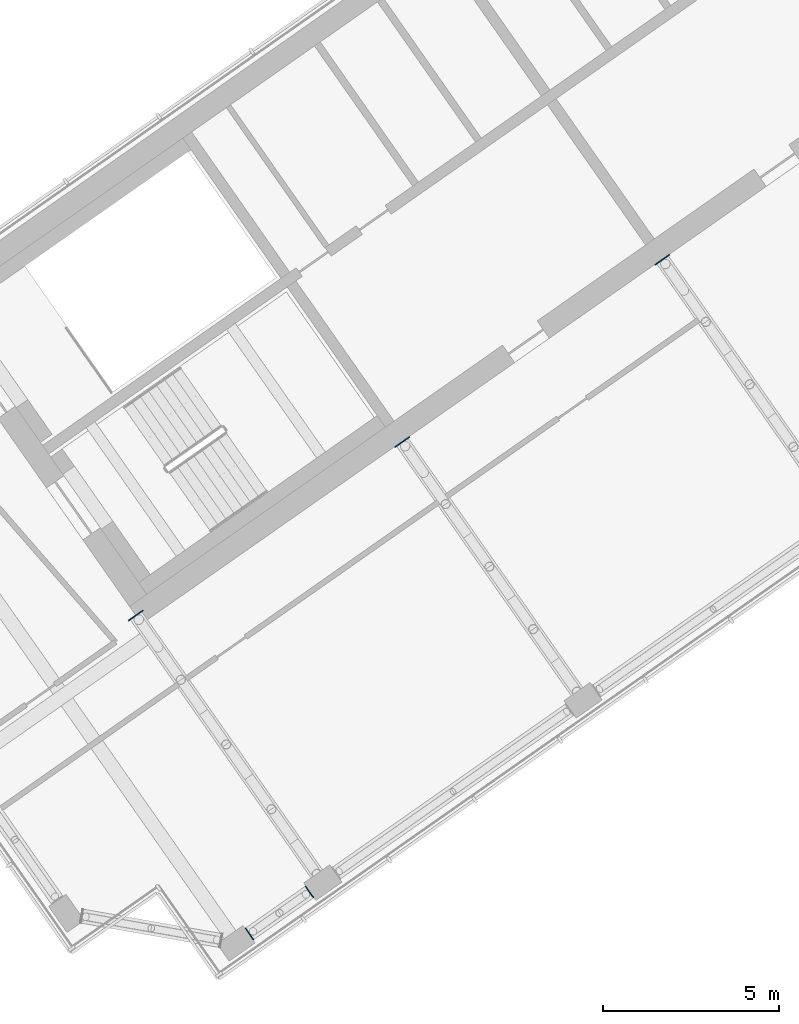
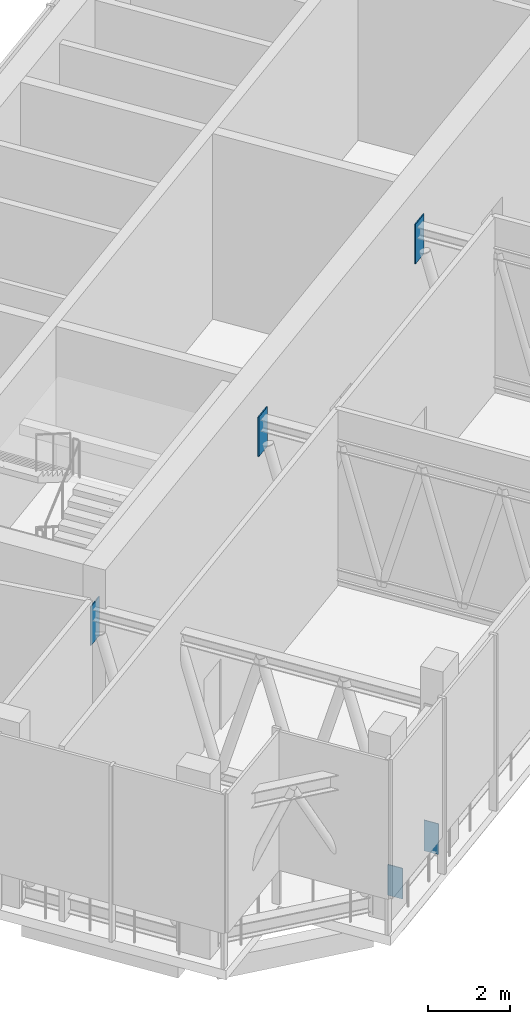
# One storey, part 7 of 16: 5 discrete accessories.
"""IFC4 building model written with IfcOpenShell, lengths in metres."""

from ifc_helpers import new_model, si_unit, direction, frame, origin, origin_2d, place, context, subcontext, project, spatial, rectangle, extrude, material, layer, layer_set, type_object, element, save


model = new_model("IFC4")

# Units and contexts
model_context = context("Model", 3, precision=1e-05, world=origin(), true_north=direction((0.0, 1.0)))
body_context = subcontext(model_context, "Body", "Model", "MODEL_VIEW")
ifc_project = project(units=[si_unit("LENGTHUNIT", "METRE"), si_unit("AREAUNIT", "SQUARE_METRE"), si_unit("VOLUMEUNIT", "CUBIC_METRE"), si_unit("PLANEANGLEUNIT", "RADIAN"), si_unit("MASSUNIT", "GRAM", prefix="KILO")], contexts=[model_context])

# Site, building, storey
site_placement = place(None, origin())
site = spatial("IfcSite", under=ifc_project, at=site_placement, CompositionType="ELEMENT")
building_placement = place(site_placement, origin())
building = spatial("IfcBuilding", under=site, at=building_placement, Name="Tel Ilan Convention Tower", CompositionType="ELEMENT")
storey_placement = place(building_placement, frame((0.0, 0.0, 313.300048828125)))
storey = spatial("IfcBuildingStorey", under=building, at=storey_placement, Name="L74", CompositionType="ELEMENT", Elevation=313.300048828125)

# Discrete accessories
ifc_material_1 = material(Name="Steel S355", Category="steel")
ifc_layer_1 = layer(ifc_material_1, 0.030029296875)
ifc_layer_set_1 = layer_set([ifc_layer_1], Name="Cast-in Plate 30 mm Steel S355")
discrete_accessory_type_1 = type_object("IfcDiscreteAccessoryType", Name="Cast-in Plate 30 mm Steel S355", PredefinedType="ANCHORPLATE", material=ifc_layer_set_1)
for number, where, z_axis, x_axis, name in (
    (1, (-6.790283203125, -5.99365234375, 3.3134765625), (0.0, 0.0, 1.0), (-0.573576436351, 0.819152044289, 0.0), "L74 W-F1 outrigger cast-in plate"),
    (2, (-14.16259765625, -11.15576171875, 3.3134765625), (0.0, 0.0, 1.0), (-0.573576436351, 0.819152044289, 0.0), "L74 W-F2 outrigger cast-in plate"),
):
    element("IfcDiscreteAccessory", number, at=place(storey_placement, frame(where, z_axis=z_axis, x_axis=x_axis)), inside=storey, type_object=discrete_accessory_type_1, Name=name, PredefinedType="ANCHORPLATE", context=body_context, shape_type="SweptSolid", body=[
        extrude(rectangle(XDim=0.030029296875, YDim=0.5, at=origin_2d()), origin(), (0.0, 0.0, 1.0), 1.176513671875),
    ])
discrete_accessory_placement = place(storey_placement, frame((-21.70703125, -16.072265625, 3.333740234375), z_axis=(0.0, 0.0, 1.0), x_axis=(-0.573576436351, 0.819152044289, 0.0)))
element("IfcDiscreteAccessory", 3, at=discrete_accessory_placement, inside=storey, type_object=discrete_accessory_type_1, Name="L74 W-F3 outrigger cast-in plate", PredefinedType="ANCHORPLATE", context=body_context, shape_type="SweptSolid", body=[
    extrude(rectangle(XDim=0.030029296875, YDim=0.5, at=origin_2d()), origin(), (0.0, 0.0, 1.0), 1.15625),
])
ifc_material_2 = material(Name="Steel S355", Category="steel")
ifc_layer_2 = layer(ifc_material_2, 0.02490234375)
ifc_layer_set_2 = layer_set([ifc_layer_2], Name="End Plate 25 mm Steel S355")
discrete_accessory_type_2 = type_object("IfcDiscreteAccessoryType", Name="End Plate 25 mm Steel S355", PredefinedType="BRACKET", material=ifc_layer_set_2)
for number, where, z_axis, x_axis, name in (
    (4, (-18.488525390625, -25.092529296875, 0.07470703125), (0.0, 0.0, 1.0), (-0.819152044289, -0.573576436351, 0.0), "L74 W-F3-W-FC belt end plate"),
    (5, (-16.788818359375, -23.90234375, 0.07470703125), (0.0, 0.0, 1.0), (0.819152044289, 0.573576436351, 0.0), "L74 W-F3-W-FC belt end plate"),
):
    element("IfcDiscreteAccessory", number, at=place(storey_placement, frame(where, z_axis=z_axis, x_axis=x_axis)), inside=storey, type_object=discrete_accessory_type_2, Name=name, PredefinedType="BRACKET", context=body_context, shape_type="SweptSolid", body=[
        extrude(rectangle(XDim=0.02490234375, YDim=0.39990234375, at=origin_2d()), origin(), (0.0, 0.0, 1.0), 0.909912109375),
    ])

save(model, "model.ifc")
